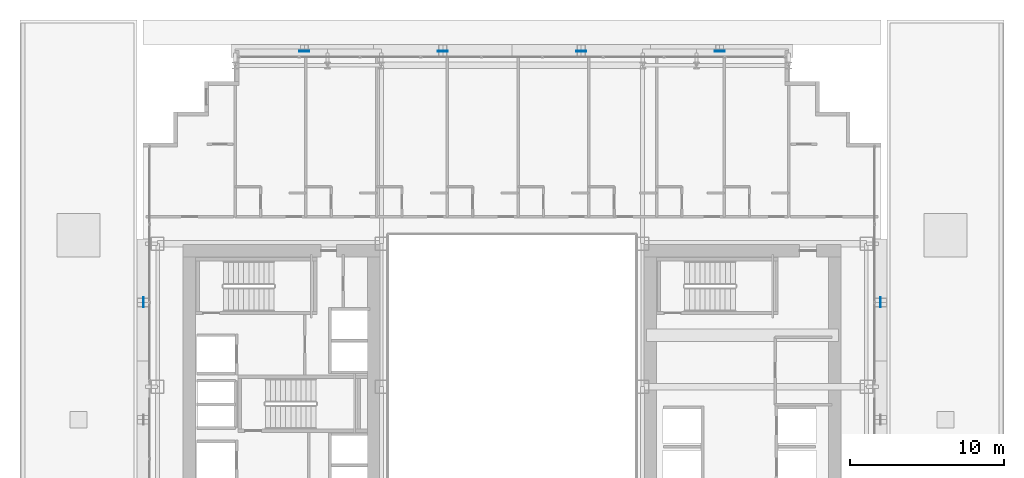
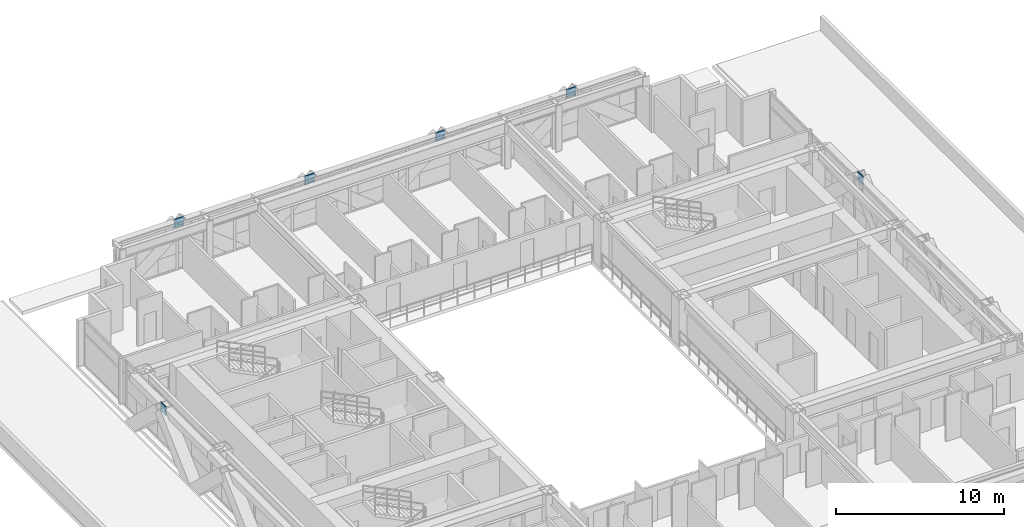
# One storey, part 25 of 35: 6 plates.
"""IFC4 building model written with IfcOpenShell, lengths in metres."""

from ifc_helpers import new_model, si_unit, direction, frame, origin, origin_2d, place, context, subcontext, project, spatial, rectangle, extrude, source, transform, mapped, material, layer, layer_set, type_object, element, save


model = new_model("IFC4")

# Units and contexts
model_context = context("Model", 3, precision=1e-05, world=origin(), true_north=direction((0.0, 1.0)))
body_context = subcontext(model_context, "Body", "Model", "MODEL_VIEW")
ifc_project = project(units=[si_unit("LENGTHUNIT", "METRE"), si_unit("AREAUNIT", "SQUARE_METRE"), si_unit("VOLUMEUNIT", "CUBIC_METRE"), si_unit("PLANEANGLEUNIT", "RADIAN"), si_unit("MASSUNIT", "GRAM", prefix="KILO")], contexts=[model_context])

# Site, building, storey
site_placement = place(None, origin())
site = spatial("IfcSite", under=ifc_project, at=site_placement, CompositionType="ELEMENT")
building_placement = place(site_placement, origin())
building = spatial("IfcBuilding", under=site, at=building_placement, Name="Ocotamira Hotel", CompositionType="ELEMENT")
storey_placement = place(building_placement, frame((0.0, 0.0, 34.800048828125)))
storey = spatial("IfcBuildingStorey", under=building, at=storey_placement, Name="L07", CompositionType="ELEMENT", Elevation=34.800048828125)

# Plates
ifc_material = material(Name="Pale-metal coated steel ASTM A572 Grade 50", Category="steel")
ifc_layer = layer(ifc_material, 0.0400390625)
ifc_layer_set = layer_set([ifc_layer], Name="Pale-metal coated steel ASTM A572 Grade 50")
plate_type = type_object("IfcPlateType", Name="PLT-GUSSET-40", PredefinedType="SHEET", material=ifc_layer_set)
shared_shape_1 = source(origin(), body_context, "Body", "SweptSolid", [
    extrude(rectangle(XDim=0.64990234375, YDim=0.0400390625, at=origin_2d()), origin(), (0.0, 0.0, 1.0), 0.64990234375),
])
for number, where, z_axis, x_axis, name in (
    (1, (18.5, 49.969970703125, 2.77490234375), (0.0, 0.0, 1.0), (1.0, 0.0, 0.0), "L07 Exoskeleton Diagrid N0.1 End Gusset B"),
    (2, (27.5, 49.969970703125, 2.77490234375), (0.0, 0.0, 1.0), (1.0, 0.0, 0.0), "L07 Exoskeleton Diagrid N1.1 End Gusset B"),
    (3, (36.5, 49.969970703125, 2.77490234375), (0.0, 0.0, 1.0), (1.0, 0.0, 0.0), "L07 Exoskeleton Diagrid N2.1 End Gusset B"),
    (4, (45.5, 49.969970703125, 2.77490234375), (0.0, 0.0, 1.0), (1.0, 0.0, 0.0), "L07 Exoskeleton Diagrid N3.1 End Gusset B"),
):
    element("IfcPlate", number, at=place(storey_placement, frame(where, z_axis=z_axis, x_axis=x_axis)), inside=storey, type_object=plate_type, Name=name, PredefinedType="SHEET", context=body_context, shape_type="MappedRepresentation", body=[
        mapped(shared_shape_1, transform((0.0, 0.0, 0.0), scale=1.0)),
    ])
shared_shape_2 = source(origin(), body_context, "Body", "SweptSolid", [
    extrude(rectangle(XDim=0.0400390625, YDim=0.64990234375, at=origin_2d()), origin(), (0.0, 0.0, 1.0), 0.64990234375),
])
for number, where, z_axis, x_axis, name in (
    (5, (8.030029296875, 33.63330078125, 2.77490234375), (0.0, 0.0, 1.0), (1.0, 0.0, 0.0), "L07 Exoskeleton Diagrid W2.1 End Gusset B"),
    (6, (55.969970703125, 33.63330078125, 2.77490234375), (0.0, 0.0, 1.0), (1.0, 0.0, 0.0), "L07 Exoskeleton Diagrid E2.1 End Gusset B"),
):
    element("IfcPlate", number, at=place(storey_placement, frame(where, z_axis=z_axis, x_axis=x_axis)), inside=storey, type_object=plate_type, Name=name, PredefinedType="SHEET", context=body_context, shape_type="MappedRepresentation", body=[
        mapped(shared_shape_2, transform((0.0, 0.0, 0.0), scale=1.0)),
    ])

save(model, "model.ifc")
